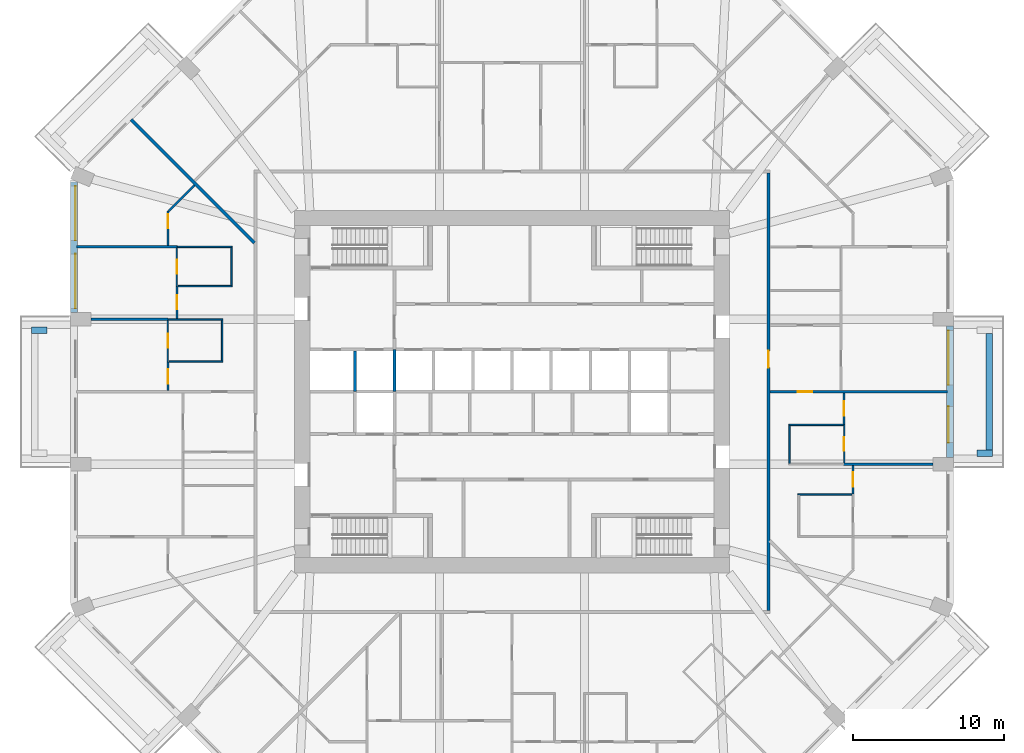
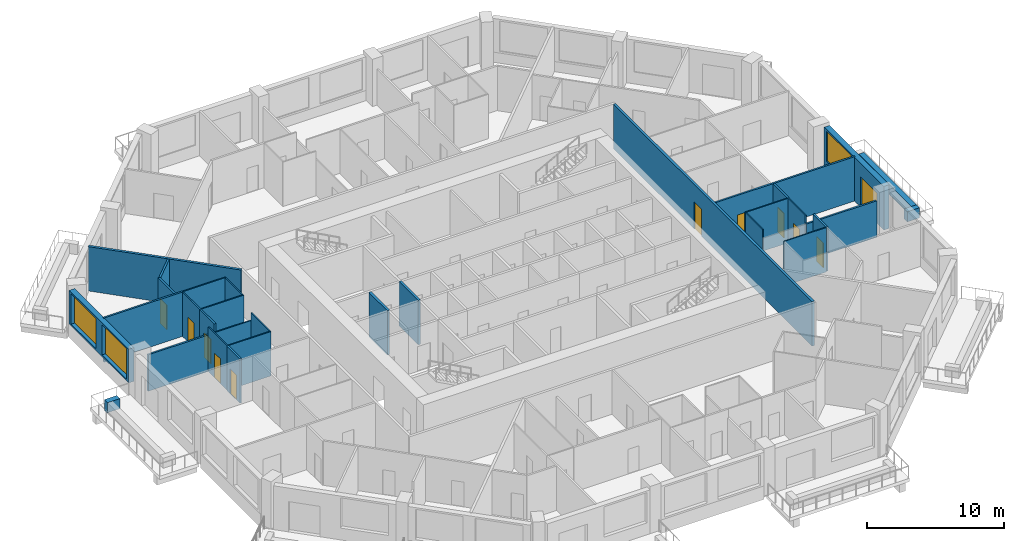
# One storey, part 7 of 13: 31 walls, 11 doors, 3 windows, 14 openings.
"""IFC4 building model written with IfcOpenShell, lengths in metres."""

from ifc_helpers import new_model, si_unit, direction, frame, frame_2d, origin, place, context, subcontext, project, spatial, rectangle, extrude, material, layer, layer_set, type_object, element, fill, save


model = new_model("IFC4")

# Units and contexts
model_context = context("Model", 3, precision=1e-05, world=origin(), true_north=direction((0.0, 1.0)))
body_context = subcontext(model_context, "Body", "Model", "MODEL_VIEW")
ifc_project = project(units=[si_unit("LENGTHUNIT", "METRE"), si_unit("AREAUNIT", "SQUARE_METRE"), si_unit("VOLUMEUNIT", "CUBIC_METRE"), si_unit("PLANEANGLEUNIT", "RADIAN"), si_unit("MASSUNIT", "GRAM", prefix="KILO")], contexts=[model_context])

# Site, building, storey
site_placement = place(None, origin())
site = spatial("IfcSite", under=ifc_project, at=site_placement, CompositionType="ELEMENT")
building_placement = place(site_placement, origin())
building = spatial("IfcBuilding", under=site, at=building_placement, Name="Msitu Wima Residences", CompositionType="ELEMENT")
storey_placement = place(building_placement, frame((0.0, 0.0, 75.89990234375)))
storey = spatial("IfcBuildingStorey", under=building, at=storey_placement, Name="L17", CompositionType="ELEMENT", Elevation=75.89990234375)

# Walls
ifc_material_1 = material(Name="Facing brick")
ifc_layer_1 = layer(ifc_material_1, 0.06494140625, Name="Facing brick")
ifc_material_2 = material(Name="Concrete C40/50", Category="concrete")
ifc_layer_2 = layer(ifc_material_2, 0.156005859375, Name="Concrete C40/50")
ifc_material_3 = material(Name="Waterproofing membrane")
ifc_layer_3 = layer(ifc_material_3, 0.00390625, Name="Waterproofing membrane")
ifc_material_4 = material(Name="Planting soil and planting")
ifc_layer_4 = layer(ifc_material_4, 0.22509765625, Name="Planting soil and planting")
ifc_layer_set_1 = layer_set([ifc_layer_1, ifc_layer_2, ifc_layer_3, ifc_layer_4], Name="Concrete C40/50")
wall_type_1 = type_object("IfcWallType", Name="Balcony planter PLANTER PL450", PredefinedType="USERDEFINED", material=ifc_layer_set_1)
wall_1_placement = place(storey_placement, frame((31.625, -3.85009765625, 0.0), z_axis=(0.0, 0.0, 1.0), x_axis=(0.0, 1.0, 0.0)))
element("IfcWall", 1, at=wall_1_placement, inside=storey, type_object=wall_type_1, Name="Balcony planter E1 L17", ObjectType="PLANTER", PredefinedType="USERDEFINED", context=body_context, shape_type="SweptSolid", body=[
    extrude(rectangle(XDim=7.7001953125, YDim=0.449951171875, at=frame_2d((3.85009765625, 0.0))), origin(), (0.0, 0.0, 1.0), 0.900146484375),
])
for number, where, z_axis, x_axis, name in (
    (2, (30.800048828125, -4.074951171875, 0.0), (0.0, 0.0, 1.0), (1.0, 0.0, 0.0), "Balcony planter E1 L17"),
    (3, (-30.800048828125, 4.074951171875, 0.0), (0.0, 0.0, 1.0), (-1.0, 0.0, 0.0), "Balcony planter W1 L17"),
):
    element("IfcWall", number, at=place(storey_placement, frame(where, z_axis=z_axis, x_axis=x_axis)), inside=storey, type_object=wall_type_1, Name=name, ObjectType="PLANTER", PredefinedType="USERDEFINED", context=body_context, shape_type="SweptSolid", body=[
        extrude(rectangle(XDim=1.050048828125, YDim=0.449951171875, at=frame_2d((0.52490234375, 0.0))), origin(), (0.0, 0.0, 1.0), 0.900146484375),
    ])

# Wall, openings, door, window
ifc_material_5 = material(Name="Brick (red buff mix)", Category="masonry")
ifc_layer_5 = layer(ifc_material_5, 0.449951171875)
ifc_layer_set_2 = layer_set([ifc_layer_5], Name="Brick (red buff mix)")
wall_type_2 = type_object("IfcWallType", Name="Brick infill wall BW450", PredefinedType="SOLIDWALL", material=ifc_layer_set_2)
wall_2_placement = place(storey_placement, frame((29.02490234375, -4.35009765625, 0.0), z_axis=(0.0, 0.0, 1.0), x_axis=(0.0, 1.0, 0.0)))
wall_2 = element("IfcWall", 4, at=wall_2_placement, inside=storey, type_object=wall_type_2, Name="Brick infill wall L17 E1", PredefinedType="SOLIDWALL", context=body_context, shape_type="SweptSolid", body=[
    extrude(rectangle(XDim=8.7001953125, YDim=0.449951171875, at=frame_2d((4.35009765625, 0.0))), origin(), (0.0, 0.0, 1.0), 3.900146484375),
])
opening_1_placement = place(wall_2_placement, frame((0.97509765625, 0.0, 0.0)))
opening_1 = element("IfcOpeningElement", 5, at=opening_1_placement, cuts=wall_2, Name="Opening D16-17.001", PredefinedType="OPENING", context=body_context, shape_type="SweptSolid", body=[
    extrude(rectangle(XDim=2.39990234375, YDim=2.699951171875, at=frame_2d((1.199951171875, 1.35009765625))), frame((0.0, 0.23486328125, 0.0), z_axis=(0.0, -1.0, 0.0), x_axis=(1.0, 0.0, 0.0)), (0.0, 0.0, 1.0), 0.469970703125),
])
opening_2_placement = place(wall_2_placement, frame((4.800048828125, 0.0, 1.050048828125)))
opening_2 = element("IfcOpeningElement", 6, at=opening_2_placement, cuts=wall_2, Name="Opening W16-17.003", PredefinedType="OPENING", context=body_context, shape_type="SweptSolid", body=[
    extrude(rectangle(XDim=3.60009765625, YDim=2.699951171875, at=frame_2d((1.800048828125, 1.35009765625))), frame((0.0, 0.23486328125, 0.0), z_axis=(0.0, -1.0, 0.0), x_axis=(1.0, 0.0, 0.0)), (0.0, 0.0, 1.0), 0.469970703125),
])
ifc_material_6 = material(Name="Anodised aluminium, bronze finish, clear low-emissivity double glazing", Category="aluminium")
door_type_1 = type_object("IfcDoorType", Name="Balcony door D2400x2700", OperationType="SLIDING_TO_LEFT", PredefinedType="DOOR", material=ifc_material_6)
door_1_placement = place(opening_1_placement, origin())
door_1 = element("IfcDoor", 7, at=door_1_placement, inside=storey, type_object=door_type_1, Name="Balcony door L17 E1", OperationType="SINGLE_SWING_LEFT", OverallHeight=2.699951171875, OverallWidth=2.39990234375, PredefinedType="DOOR", context=body_context, shape_type="SweptSolid", body=[
    extrude(rectangle(XDim=2.39990234375, YDim=2.699951171875, at=frame_2d((1.199951171875, 1.35009765625))), frame((0.0, 0.1298828125, 0.0), z_axis=(0.0, -1.0, 0.0), x_axis=(1.0, 0.0, 0.0)), (0.0, 0.0, 1.0), 0.050048828125),
])
fill(opening_1, door_1)
window_type = type_object("IfcWindowType", Name="Window W3600x2700", PartitioningType="DOUBLE_PANEL_VERTICAL", PredefinedType="WINDOW", material=ifc_material_6)
window_1_placement = place(opening_2_placement, origin())
window_1 = element("IfcWindow", 8, at=window_1_placement, inside=storey, type_object=window_type, Name="Window L17 E1.2", OverallHeight=2.699951171875, OverallWidth=3.60009765625, PartitioningType="SINGLE_PANEL", PredefinedType="WINDOW", context=body_context, shape_type="SweptSolid", body=[
    extrude(rectangle(XDim=3.60009765625, YDim=2.699951171875, at=frame_2d((1.800048828125, 1.35009765625))), frame((0.0, 0.135009765625, 0.0), z_axis=(0.0, -1.0, 0.0), x_axis=(1.0, 0.0, 0.0)), (0.0, 0.0, 1.0), 0.06005859375),
])
fill(opening_2, window_1)

# Wall, openings, windows
wall_3_placement = place(storey_placement, frame((-29.02490234375, 13.912841796875, 0.900146484375), z_axis=(0.0, 0.0, 1.0), x_axis=(0.0, -1.0, 0.0)))
wall_3 = element("IfcWall", 9, at=wall_3_placement, inside=storey, type_object=wall_type_2, Name="Brick infill wall L17 W0", PredefinedType="SOLIDWALL", context=body_context, shape_type="SweptSolid", body=[
    extrude(rectangle(XDim=8.662841796875, YDim=0.449951171875, at=frame_2d((4.33154296875, 0.0))), origin(), (0.0, 0.0, 1.0), 3.0),
])
opening_3_placement = place(wall_3_placement, frame((0.281494140625, 0.0, 0.14990234375)))
opening_3 = element("IfcOpeningElement", 10, at=opening_3_placement, cuts=wall_3, Name="Opening W16-17.026", PredefinedType="OPENING", context=body_context, shape_type="SweptSolid", body=[
    extrude(rectangle(XDim=3.60009765625, YDim=2.699951171875, at=frame_2d((1.800048828125, 1.35009765625))), frame((0.0, 0.23486328125, 0.0), z_axis=(0.0, -1.0, 0.0), x_axis=(1.0, 0.0, 0.0)), (0.0, 0.0, 1.0), 0.469970703125),
])
opening_4_placement = place(wall_3_placement, frame((4.781494140625, 0.0, 0.14990234375)))
opening_4 = element("IfcOpeningElement", 11, at=opening_4_placement, cuts=wall_3, Name="Opening W16-17.027", PredefinedType="OPENING", context=body_context, shape_type="SweptSolid", body=[
    extrude(rectangle(XDim=3.60009765625, YDim=2.699951171875, at=frame_2d((1.800048828125, 1.35009765625))), frame((0.0, 0.23486328125, 0.0), z_axis=(0.0, -1.0, 0.0), x_axis=(1.0, 0.0, 0.0)), (0.0, 0.0, 1.0), 0.469970703125),
])
window_2_placement = place(opening_3_placement, origin())
window_2 = element("IfcWindow", 12, at=window_2_placement, inside=storey, type_object=window_type, Name="Window L17 W0.1", OverallHeight=2.699951171875, OverallWidth=3.60009765625, PartitioningType="SINGLE_PANEL", PredefinedType="WINDOW", context=body_context, shape_type="SweptSolid", body=[
    extrude(rectangle(XDim=3.60009765625, YDim=2.699951171875, at=frame_2d((1.800048828125, 1.35009765625))), frame((0.0, 0.135009765625, 0.0), z_axis=(0.0, -1.0, 0.0), x_axis=(1.0, 0.0, 0.0)), (0.0, 0.0, 1.0), 0.06005859375),
])
fill(opening_3, window_2)
window_3_placement = place(opening_4_placement, origin())
window_3 = element("IfcWindow", 13, at=window_3_placement, inside=storey, type_object=window_type, Name="Window L17 W0.2", OverallHeight=2.699951171875, OverallWidth=3.60009765625, PartitioningType="SINGLE_PANEL", PredefinedType="WINDOW", context=body_context, shape_type="SweptSolid", body=[
    extrude(rectangle(XDim=3.60009765625, YDim=2.699951171875, at=frame_2d((1.800048828125, 1.35009765625))), frame((0.0, 0.135009765625, 0.0), z_axis=(0.0, -1.0, 0.0), x_axis=(1.0, 0.0, 0.0)), (0.0, 0.0, 1.0), 0.06005859375),
])
fill(opening_4, window_3)

# Wall, opening, door
ifc_material_7 = material(Name="Plaster")
ifc_layer_6 = layer(ifc_material_7, 0.011962890625, Name="Plaster")
ifc_material_8 = material(Name="Concrete blockwork", Category="masonry")
ifc_layer_7 = layer(ifc_material_8, 0.176025390625, Name="Concrete blockwork")
ifc_layer_8 = layer(ifc_material_7, 0.011962890625, Name="Plaster")
ifc_layer_set_3 = layer_set([ifc_layer_6, ifc_layer_7, ifc_layer_8], Name="Concrete blockwork")
wall_type_3 = type_object("IfcWallType", Name="Corridor wall FW200", PredefinedType="PARTITIONING", material=ifc_layer_set_3)
wall_4_placement = place(storey_placement, frame((17.0, -14.5, 0.0), z_axis=(0.0, 0.0, 1.0), x_axis=(0.0, 1.0, 0.0)))
wall_4 = element("IfcWall", 14, at=wall_4_placement, inside=storey, type_object=wall_type_3, Name="Corridor wall", PredefinedType="PARTITIONING", context=body_context, shape_type="SweptSolid", body=[
    extrude(rectangle(XDim=29.0, YDim=0.199951171875, at=frame_2d((14.5, 0.0))), origin(), (0.0, 0.0, 1.0), 3.9501953125),
])
opening_5_placement = place(wall_4_placement, frame((16.10009765625, 0.0, 0.0)))
opening_5 = element("IfcOpeningElement", 15, at=opening_5_placement, cuts=wall_4, Name="Opening D16-17.014", PredefinedType="OPENING", context=body_context, shape_type="SweptSolid", body=[
    extrude(rectangle(XDim=1.10009765625, YDim=2.39990234375, at=frame_2d((0.550048828125, 1.199951171875))), frame((0.0, 0.10986328125, 0.0), z_axis=(0.0, -1.0, 0.0), x_axis=(1.0, 0.0, 0.0)), (0.0, 0.0, 1.0), 0.219970703125),
])
ifc_material_9 = material(Name="Timber flush door, fire resisting, self-closing", Category="wood")
door_type_2 = type_object("IfcDoorType", Name="Flat entrance door D01 1100x2400", OperationType="SINGLE_SWING_LEFT", PredefinedType="DOOR", material=ifc_material_9)
door_2_placement = place(opening_5_placement, origin())
door_2 = element("IfcDoor", 16, at=door_2_placement, inside=storey, type_object=door_type_2, Name="Flat entrance door", OperationType="SINGLE_SWING_RIGHT", OverallHeight=2.39990234375, OverallWidth=1.10009765625, PredefinedType="DOOR", context=body_context, shape_type="SweptSolid", body=[
    extrude(rectangle(XDim=1.10009765625, YDim=2.39990234375, at=frame_2d((0.550048828125, 1.199951171875))), frame((0.0, 0.02490234375, 0.0), z_axis=(0.0, -1.0, 0.0), x_axis=(1.0, 0.0, 0.0)), (0.0, 0.0, 1.0), 0.050048828125),
])
fill(opening_5, door_2)

# Walls
ifc_layer_9 = layer(ifc_material_7, 0.011962890625, Name="Plaster")
ifc_layer_10 = layer(ifc_material_8, 0.1259765625, Name="Concrete blockwork")
ifc_layer_11 = layer(ifc_material_7, 0.011962890625, Name="Plaster")
ifc_layer_set_4 = layer_set([ifc_layer_9, ifc_layer_10, ifc_layer_11], Name="Concrete blockwork")
wall_type_4 = type_object("IfcWallType", Name="Partition PW150", PredefinedType="PARTITIONING", material=ifc_layer_set_4)
wall_5_placement = place(storey_placement, frame((-27.89990234375, 4.800048828125, 0.0), z_axis=(0.0, 0.0, 1.0), x_axis=(1.0, 0.0, 0.0)))
element("IfcWall", 17, at=wall_5_placement, inside=storey, type_object=wall_type_4, Name="Partition", PredefinedType="PARTITIONING", context=body_context, shape_type="SweptSolid", body=[
    extrude(rectangle(XDim=5.119873046875, YDim=0.14990234375, at=frame_2d((2.56005859375, 0.0))), origin(), (0.0, 0.0, 1.0), 3.25),
])
wall_6_placement = place(storey_placement, frame((-28.85498046875, 9.60009765625, 0.0), z_axis=(0.0, 0.0, 1.0), x_axis=(1.0, 0.0, 0.0)))
element("IfcWall", 18, at=wall_6_placement, inside=storey, type_object=wall_type_4, Name="Partition", PredefinedType="PARTITIONING", context=body_context, shape_type="SweptSolid", body=[
    extrude(rectangle(XDim=6.675048828125, YDim=0.14990234375, at=frame_2d((3.33740234375, 0.0))), origin(), (0.0, 0.0, 1.0), 3.9501953125),
])

# Wall, opening, door
wall_7_placement = place(storey_placement, frame((-22.800048828125, 0.074951171875, 0.0), z_axis=(0.0, 0.0, 1.0), x_axis=(0.0, 1.0, 0.0)))
wall_7 = element("IfcWall", 19, at=wall_7_placement, inside=storey, type_object=wall_type_4, Name="Partition", PredefinedType="PARTITIONING", context=body_context, shape_type="SweptSolid", body=[
    extrude(rectangle(XDim=1.905029296875, YDim=0.14990234375, at=frame_2d((0.95263671875, 0.0))), origin(), (0.0, 0.0, 1.0), 3.9501953125),
])
opening_6_placement = place(wall_7_placement, frame((0.449951171875, 0.0, 0.0)))
opening_6 = element("IfcOpeningElement", 20, at=opening_6_placement, cuts=wall_7, Name="Opening D16-17.049", PredefinedType="OPENING", context=body_context, shape_type="SweptSolid", body=[
    extrude(rectangle(XDim=0.949951171875, YDim=2.199951171875, at=frame_2d((0.47509765625, 1.10009765625))), frame((0.0, 0.0849609375, 0.0), z_axis=(0.0, -1.0, 0.0), x_axis=(1.0, 0.0, 0.0)), (0.0, 0.0, 1.0), 0.169921875),
])
ifc_material_10 = material(Name="Timber flush door", Category="wood")
door_type_3 = type_object("IfcDoorType", Name="Room door D12 950x2200", OperationType="SINGLE_SWING_LEFT", PredefinedType="DOOR", material=ifc_material_10)
door_3_placement = place(opening_6_placement, origin())
door_3 = element("IfcDoor", 21, at=door_3_placement, inside=storey, type_object=door_type_3, Name="Room door", OperationType="SINGLE_SWING_LEFT", OverallHeight=2.199951171875, OverallWidth=0.949951171875, PredefinedType="DOOR", context=body_context, shape_type="SweptSolid", body=[
    extrude(rectangle(XDim=0.949951171875, YDim=2.199951171875, at=frame_2d((0.47509765625, 1.10009765625))), frame((0.0, 0.02490234375, 0.0), z_axis=(0.0, -1.0, 0.0), x_axis=(1.0, 0.0, 0.0)), (0.0, 0.0, 1.0), 0.050048828125),
])
fill(opening_6, door_3)

wall_8_placement = place(storey_placement, frame((-22.800048828125, 9.675048828125, 0.0), z_axis=(0.0, 0.0, 1.0), x_axis=(0.0, 1.0, 0.0)))
wall_8 = element("IfcWall", 22, at=wall_8_placement, inside=storey, type_object=wall_type_4, Name="Partition", PredefinedType="PARTITIONING", context=body_context, shape_type="SweptSolid", body=[
    extrude(rectangle(XDim=2.314697265625, YDim=0.14990234375, at=frame_2d((1.1572265625, 0.0))), origin(), (0.0, 0.0, 1.0), 3.9501953125),
])
opening_7_placement = place(wall_8_placement, frame((1.14990234375, 0.0, 0.0)))
opening_7 = element("IfcOpeningElement", 23, at=opening_7_placement, cuts=wall_8, Name="Opening D16-17.059", PredefinedType="OPENING", context=body_context, shape_type="SweptSolid", body=[
    extrude(rectangle(XDim=0.949951171875, YDim=2.199951171875, at=frame_2d((0.47509765625, 1.10009765625))), frame((0.0, 0.0849609375, 0.0), z_axis=(0.0, -1.0, 0.0), x_axis=(1.0, 0.0, 0.0)), (0.0, 0.0, 1.0), 0.169921875),
])
door_4_placement = place(opening_7_placement, origin())
door_4 = element("IfcDoor", 24, at=door_4_placement, inside=storey, type_object=door_type_3, Name="Room door", OperationType="SINGLE_SWING_LEFT", OverallHeight=2.199951171875, OverallWidth=0.949951171875, PredefinedType="DOOR", context=body_context, shape_type="SweptSolid", body=[
    extrude(rectangle(XDim=0.949951171875, YDim=2.199951171875, at=frame_2d((0.47509765625, 1.10009765625))), frame((0.0, 0.02490234375, 0.0), z_axis=(0.0, -1.0, 0.0), x_axis=(1.0, 0.0, 0.0)), (0.0, 0.0, 1.0), 0.050048828125),
])
fill(opening_7, door_4)

# Wall
wall_9_placement = place(storey_placement, frame((-22.7470703125, 11.9677734375, 0.0), z_axis=(0.0, 0.0, 1.0), x_axis=(0.707106781187, 0.707106781187, 0.0)))
element("IfcWall", 25, at=wall_9_placement, inside=storey, type_object=wall_type_4, Name="Partition", PredefinedType="PARTITIONING", context=body_context, shape_type="SweptSolid", body=[
    extrude(rectangle(XDim=2.430908203125, YDim=0.14990234375, at=frame_2d((1.21533203125, 0.0))), origin(), (0.0, 0.0, 1.0), 3.9501953125),
])

# Wall, opening, door
wall_10_placement = place(storey_placement, frame((-22.199951171875, 4.85009765625, 0.0), z_axis=(0.0, 0.0, 1.0), x_axis=(0.0, 1.0, 0.0)))
wall_10 = element("IfcWall", 26, at=wall_10_placement, inside=storey, type_object=wall_type_4, Name="Partition", PredefinedType="PARTITIONING", context=body_context, shape_type="SweptSolid", body=[
    extrude(rectangle(XDim=2.1298828125, YDim=0.14990234375, at=frame_2d((1.06494140625, 0.0))), origin(), (0.0, 0.0, 1.0), 3.9501953125),
])
opening_8_placement = place(wall_10_placement, frame((0.60009765625, 0.0, 0.0)))
opening_8 = element("IfcOpeningElement", 27, at=opening_8_placement, cuts=wall_10, Name="Opening D16-17.051", PredefinedType="OPENING", context=body_context, shape_type="SweptSolid", body=[
    extrude(rectangle(XDim=0.949951171875, YDim=2.199951171875, at=frame_2d((0.47509765625, 1.10009765625))), frame((0.0, 0.0849609375, 0.0), z_axis=(0.0, -1.0, 0.0), x_axis=(1.0, 0.0, 0.0)), (0.0, 0.0, 1.0), 0.169921875),
])
door_5_placement = place(opening_8_placement, origin())
door_5 = element("IfcDoor", 28, at=door_5_placement, inside=storey, type_object=door_type_3, Name="Room door", OperationType="SINGLE_SWING_LEFT", OverallHeight=2.199951171875, OverallWidth=0.949951171875, PredefinedType="DOOR", context=body_context, shape_type="SweptSolid", body=[
    extrude(rectangle(XDim=0.949951171875, YDim=2.199951171875, at=frame_2d((0.47509765625, 1.10009765625))), frame((0.0, 0.02490234375, 0.0), z_axis=(0.0, -1.0, 0.0), x_axis=(1.0, 0.0, 0.0)), (0.0, 0.0, 1.0), 0.050048828125),
])
fill(opening_8, door_5)

wall_11_placement = place(storey_placement, frame((17.10009765625, 0.0, 0.0), z_axis=(0.0, 0.0, 1.0), x_axis=(1.0, 0.0, 0.0)))
wall_11 = element("IfcWall", 29, at=wall_11_placement, inside=storey, type_object=wall_type_4, Name="Partition", PredefinedType="PARTITIONING", context=body_context, shape_type="SweptSolid", body=[
    extrude(rectangle(XDim=11.7548828125, YDim=0.14990234375, at=frame_2d((5.87744140625, 0.0))), origin(), (0.0, 0.0, 1.0), 3.9501953125),
])
opening_9_placement = place(wall_11_placement, frame((1.85009765625, 0.0, 0.0)))
opening_9 = element("IfcOpeningElement", 30, at=opening_9_placement, cuts=wall_11, Name="Opening D16-17.076", PredefinedType="OPENING", context=body_context, shape_type="SweptSolid", body=[
    extrude(rectangle(XDim=0.949951171875, YDim=2.199951171875, at=frame_2d((0.47509765625, 1.10009765625))), frame((0.0, 0.0849609375, 0.0), z_axis=(0.0, -1.0, 0.0), x_axis=(1.0, 0.0, 0.0)), (0.0, 0.0, 1.0), 0.169921875),
])
door_6_placement = place(opening_9_placement, origin())
door_6 = element("IfcDoor", 31, at=door_6_placement, inside=storey, type_object=door_type_3, Name="Room door", OperationType="SINGLE_SWING_RIGHT", OverallHeight=2.199951171875, OverallWidth=0.949951171875, PredefinedType="DOOR", context=body_context, shape_type="SweptSolid", body=[
    extrude(rectangle(XDim=0.949951171875, YDim=2.199951171875, at=frame_2d((0.47509765625, 1.10009765625))), frame((0.0, 0.02490234375, 0.0), z_axis=(0.0, -1.0, 0.0), x_axis=(1.0, 0.0, 0.0)), (0.0, 0.0, 1.0), 0.050048828125),
])
fill(opening_9, door_6)

# Wall
wall_12_placement = place(storey_placement, frame((21.97998046875, -4.800048828125, 0.0), z_axis=(0.0, 0.0, 1.0), x_axis=(1.0, 0.0, 0.0)))
element("IfcWall", 32, at=wall_12_placement, inside=storey, type_object=wall_type_4, Name="Partition", PredefinedType="PARTITIONING", context=body_context, shape_type="SweptSolid", body=[
    extrude(rectangle(XDim=5.919921875, YDim=0.14990234375, at=frame_2d((2.9599609375, 0.0))), origin(), (0.0, 0.0, 1.0), 3.25),
])

# Wall, opening, door
wall_13_placement = place(storey_placement, frame((22.0, -2.179931640625, 0.0), z_axis=(0.0, 0.0, 1.0), x_axis=(0.0, 1.0, 0.0)))
wall_13 = element("IfcWall", 33, at=wall_13_placement, inside=storey, type_object=wall_type_4, Name="Partition", PredefinedType="PARTITIONING", context=body_context, shape_type="SweptSolid", body=[
    extrude(rectangle(XDim=2.10498046875, YDim=0.14990234375, at=frame_2d((1.052490234375, 0.0))), origin(), (0.0, 0.0, 1.0), 3.9501953125),
])
opening_10_placement = place(wall_13_placement, frame((0.60009765625, 0.0, 0.0)))
opening_10 = element("IfcOpeningElement", 34, at=opening_10_placement, cuts=wall_13, Name="Opening D16-17.082", PredefinedType="OPENING", context=body_context, shape_type="SweptSolid", body=[
    extrude(rectangle(XDim=0.949951171875, YDim=2.199951171875, at=frame_2d((0.47509765625, 1.10009765625))), frame((0.0, 0.0849609375, 0.0), z_axis=(0.0, -1.0, 0.0), x_axis=(1.0, 0.0, 0.0)), (0.0, 0.0, 1.0), 0.169921875),
])
door_7_placement = place(opening_10_placement, origin())
door_7 = element("IfcDoor", 35, at=door_7_placement, inside=storey, type_object=door_type_3, Name="Room door", OperationType="SINGLE_SWING_LEFT", OverallHeight=2.199951171875, OverallWidth=0.949951171875, PredefinedType="DOOR", context=body_context, shape_type="SweptSolid", body=[
    extrude(rectangle(XDim=0.949951171875, YDim=2.199951171875, at=frame_2d((0.47509765625, 1.10009765625))), frame((0.0, 0.02490234375, 0.0), z_axis=(0.0, -1.0, 0.0), x_axis=(1.0, 0.0, 0.0)), (0.0, 0.0, 1.0), 0.050048828125),
])
fill(opening_10, door_7)

wall_14_placement = place(storey_placement, frame((22.60009765625, -6.780029296875, 0.0), z_axis=(0.0, 0.0, 1.0), x_axis=(0.0, 1.0, 0.0)))
wall_14 = element("IfcWall", 36, at=wall_14_placement, inside=storey, type_object=wall_type_4, Name="Partition", PredefinedType="PARTITIONING", context=body_context, shape_type="SweptSolid", body=[
    extrude(rectangle(XDim=1.905029296875, YDim=0.14990234375, at=frame_2d((0.95263671875, 0.0))), origin(), (0.0, 0.0, 1.0), 3.9501953125),
])
opening_11_placement = place(wall_14_placement, frame((0.5, 0.0, 0.0)))
opening_11 = element("IfcOpeningElement", 37, at=opening_11_placement, cuts=wall_14, Name="Opening D16-17.079", PredefinedType="OPENING", context=body_context, shape_type="SweptSolid", body=[
    extrude(rectangle(XDim=0.949951171875, YDim=2.199951171875, at=frame_2d((0.47509765625, 1.10009765625))), frame((0.0, 0.0849609375, 0.0), z_axis=(0.0, -1.0, 0.0), x_axis=(1.0, 0.0, 0.0)), (0.0, 0.0, 1.0), 0.169921875),
])
door_8_placement = place(opening_11_placement, origin())
door_8 = element("IfcDoor", 38, at=door_8_placement, inside=storey, type_object=door_type_3, Name="Room door", OperationType="SINGLE_SWING_LEFT", OverallHeight=2.199951171875, OverallWidth=0.949951171875, PredefinedType="DOOR", context=body_context, shape_type="SweptSolid", body=[
    extrude(rectangle(XDim=0.949951171875, YDim=2.199951171875, at=frame_2d((0.47509765625, 1.10009765625))), frame((0.0, 0.02490234375, 0.0), z_axis=(0.0, -1.0, 0.0), x_axis=(1.0, 0.0, 0.0)), (0.0, 0.0, 1.0), 0.050048828125),
])
fill(opening_11, door_8)

# Walls
ifc_layer_12 = layer(ifc_material_7, 0.011962890625, Name="Plaster")
ifc_material_11 = material(Name="Dense concrete blockwork", Category="masonry")
ifc_layer_13 = layer(ifc_material_11, 0.176025390625, Name="Dense concrete blockwork")
ifc_layer_14 = layer(ifc_material_7, 0.011962890625, Name="Plaster")
ifc_layer_set_5 = layer_set([ifc_layer_12, ifc_layer_13, ifc_layer_14], Name="Dense concrete blockwork")
wall_type_5 = type_object("IfcWallType", Name="Party wall PW200", PredefinedType="PARTITIONING", material=ifc_layer_set_5)
wall_15_placement = place(storey_placement, frame((-25.23876953125, 18.038818359375, 0.0), z_axis=(0.0, 0.0, 1.0), x_axis=(0.707096213553, -0.707117348662, 0.0)))
element("IfcWall", 39, at=wall_15_placement, inside=storey, type_object=wall_type_5, Name="Party wall", PredefinedType="PARTITIONING", context=body_context, shape_type="SweptSolid", body=[
    extrude(rectangle(XDim=11.551513671875, YDim=0.199951171875, at=frame_2d((5.77587890625, 0.0))), origin(), (0.0, 0.0, 1.0), 3.9501953125),
])
ifc_material_12 = material(Name="Fire-rated board")
ifc_layer_15 = layer(ifc_material_12, 0.02490234375, Name="Fire-rated board")
ifc_material_13 = material(Name="Light-gauge stud framing with mineral wool")
ifc_layer_16 = layer(ifc_material_13, 0.14990234375, Name="Light-gauge stud framing with mineral wool")
ifc_layer_17 = layer(ifc_material_12, 0.02490234375, Name="Fire-rated board")
ifc_layer_set_6 = layer_set([ifc_layer_15, ifc_layer_16, ifc_layer_17], Name="Light-gauge stud framing with mineral wool")
wall_type_6 = type_object("IfcWallType", Name="Shaft wall SH200", PredefinedType="PARTITIONING", material=ifc_layer_set_6)
wall_16_placement = place(storey_placement, frame((-10.39990234375, 0.0, 0.0), z_axis=(0.0, 0.0, 1.0), x_axis=(0.0, 1.0, 0.0)))
element("IfcWall", 40, at=wall_16_placement, inside=storey, type_object=wall_type_6, Name="Shaft wall", PredefinedType="PARTITIONING", context=body_context, shape_type="SweptSolid", body=[
    extrude(rectangle(XDim=2.699951171875, YDim=0.199951171875, at=frame_2d((1.35009765625, 0.0))), origin(), (0.0, 0.0, 1.0), 3.9501953125),
])
wall_17_placement = place(storey_placement, frame((-7.800048828125, 0.0, 0.0), z_axis=(0.0, 0.0, 1.0), x_axis=(0.0, 1.0, 0.0)))
element("IfcWall", 41, at=wall_17_placement, inside=storey, type_object=wall_type_6, Name="Shaft wall", PredefinedType="PARTITIONING", context=body_context, shape_type="SweptSolid", body=[
    extrude(rectangle(XDim=2.800048828125, YDim=0.199951171875, at=frame_2d((1.39990234375, 0.0))), origin(), (0.0, 0.0, 1.0), 3.9501953125),
])
ifc_material_14 = material(Name="Ceramic tiles")
ifc_layer_18 = layer(ifc_material_14, 0.008056640625, Name="Ceramic tiles")
ifc_material_15 = material(Name="Moisture-resistant board")
ifc_layer_19 = layer(ifc_material_15, 0.012451171875, Name="Moisture-resistant board")
ifc_layer_20 = layer(ifc_material_13, 0.06689453125, Name="Light-gauge stud framing with mineral wool")
ifc_layer_21 = layer(ifc_material_15, 0.012451171875, Name="Moisture-resistant board")
ifc_layer_set_7 = layer_set([ifc_layer_18, ifc_layer_19, ifc_layer_20, ifc_layer_21], Name="Light-gauge stud framing with mineral wool")
wall_type_7 = type_object("IfcWallType", Name="Wet wall PW100", PredefinedType="PARTITIONING", material=ifc_layer_set_7)
wall_18_placement = place(storey_placement, frame((-22.780029296875, 4.800048828125, 0.0), z_axis=(0.0, 0.0, 1.0), x_axis=(1.0, 0.0, 0.0)))
element("IfcWall", 42, at=wall_18_placement, inside=storey, type_object=wall_type_7, Name="Wet wall", PredefinedType="PARTITIONING", context=body_context, shape_type="SweptSolid", body=[
    extrude(rectangle(XDim=3.630126953125, YDim=0.10009765625, at=frame_2d((1.81494140625, 0.0))), origin(), (0.0, 0.0, 1.0), 3.25),
])

# Wall, opening, door
wall_19_placement = place(storey_placement, frame((-22.800048828125, 1.97998046875, 0.0), z_axis=(0.0, 0.0, 1.0), x_axis=(0.0, 1.0, 0.0)))
wall_19 = element("IfcWall", 43, at=wall_19_placement, inside=storey, type_object=wall_type_7, Name="Wet wall", PredefinedType="PARTITIONING", context=body_context, shape_type="SweptSolid", body=[
    extrude(rectangle(XDim=2.7451171875, YDim=0.10009765625, at=frame_2d((1.37255859375, 0.0))), origin(), (0.0, 0.0, 1.0), 3.9501953125),
])
opening_12_placement = place(wall_19_placement, frame((0.949951171875, 0.0, 0.0)))
opening_12 = element("IfcOpeningElement", 44, at=opening_12_placement, cuts=wall_19, Name="Opening D16-17.050", PredefinedType="OPENING", context=body_context, shape_type="SweptSolid", body=[
    extrude(rectangle(XDim=0.89990234375, YDim=2.199951171875, at=frame_2d((0.449951171875, 1.10009765625))), frame((0.0, 0.06005859375, 0.0), z_axis=(0.0, -1.0, 0.0), x_axis=(1.0, 0.0, 0.0)), (0.0, 0.0, 1.0), 0.1201171875),
])
ifc_material_16 = material(Name="Timber flush door, moisture resistant", Category="wood")
door_type_4 = type_object("IfcDoorType", Name="Bathroom door D03 900x2200", OperationType="SINGLE_SWING_LEFT", PredefinedType="DOOR", material=ifc_material_16)
door_9_placement = place(opening_12_placement, origin())
door_9 = element("IfcDoor", 45, at=door_9_placement, inside=storey, type_object=door_type_4, Name="Bathroom door", OperationType="SINGLE_SWING_RIGHT", OverallHeight=2.199951171875, OverallWidth=0.89990234375, PredefinedType="DOOR", context=body_context, shape_type="SweptSolid", body=[
    extrude(rectangle(XDim=0.89990234375, YDim=2.199951171875, at=frame_2d((0.449951171875, 1.10009765625))), frame((0.0, 0.02490234375, 0.0), z_axis=(0.0, -1.0, 0.0), x_axis=(1.0, 0.0, 0.0)), (0.0, 0.0, 1.0), 0.050048828125),
])
fill(opening_12, door_9)

# Walls
wall_20_placement = place(storey_placement, frame((-22.72509765625, 2.0, 0.0), z_axis=(0.0, 0.0, 1.0), x_axis=(1.0, 0.0, 0.0)))
element("IfcWall", 46, at=wall_20_placement, inside=storey, type_object=wall_type_7, Name="Wet wall", PredefinedType="PARTITIONING", context=body_context, shape_type="SweptSolid", body=[
    extrude(rectangle(XDim=3.5751953125, YDim=0.10009765625, at=frame_2d((1.78759765625, 0.0))), origin(), (0.0, 0.0, 1.0), 3.9501953125),
])
wall_21_placement = place(storey_placement, frame((-22.179931640625, 9.60009765625, 0.0), z_axis=(0.0, 0.0, 1.0), x_axis=(1.0, 0.0, 0.0)))
element("IfcWall", 47, at=wall_21_placement, inside=storey, type_object=wall_type_7, Name="Wet wall", PredefinedType="PARTITIONING", context=body_context, shape_type="SweptSolid", body=[
    extrude(rectangle(XDim=3.6298828125, YDim=0.10009765625, at=frame_2d((1.81494140625, 0.0))), origin(), (0.0, 0.0, 1.0), 3.9501953125),
])

# Wall, opening, door
wall_22_placement = place(storey_placement, frame((-22.199951171875, 6.97998046875, 0.0), z_axis=(0.0, 0.0, 1.0), x_axis=(0.0, 1.0, 0.0)))
wall_22 = element("IfcWall", 48, at=wall_22_placement, inside=storey, type_object=wall_type_7, Name="Wet wall", PredefinedType="PARTITIONING", context=body_context, shape_type="SweptSolid", body=[
    extrude(rectangle(XDim=2.544921875, YDim=0.10009765625, at=frame_2d((1.2724609375, 0.0))), origin(), (0.0, 0.0, 1.0), 3.9501953125),
])
opening_13_placement = place(wall_22_placement, frame((0.85009765625, 0.0, 0.0)))
opening_13 = element("IfcOpeningElement", 49, at=opening_13_placement, cuts=wall_22, Name="Opening D16-17.052", PredefinedType="OPENING", context=body_context, shape_type="SweptSolid", body=[
    extrude(rectangle(XDim=0.89990234375, YDim=2.199951171875, at=frame_2d((0.449951171875, 1.10009765625))), frame((0.0, 0.06005859375, 0.0), z_axis=(0.0, -1.0, 0.0), x_axis=(1.0, 0.0, 0.0)), (0.0, 0.0, 1.0), 0.1201171875),
])
door_10_placement = place(opening_13_placement, origin())
door_10 = element("IfcDoor", 50, at=door_10_placement, inside=storey, type_object=door_type_4, Name="Bathroom door", OperationType="SINGLE_SWING_RIGHT", OverallHeight=2.199951171875, OverallWidth=0.89990234375, PredefinedType="DOOR", context=body_context, shape_type="SweptSolid", body=[
    extrude(rectangle(XDim=0.89990234375, YDim=2.199951171875, at=frame_2d((0.449951171875, 1.10009765625))), frame((0.0, 0.02490234375, 0.0), z_axis=(0.0, -1.0, 0.0), x_axis=(1.0, 0.0, 0.0)), (0.0, 0.0, 1.0), 0.050048828125),
])
fill(opening_13, door_10)

# Walls
wall_23_placement = place(storey_placement, frame((-22.125, 7.0, 0.0), z_axis=(0.0, 0.0, 1.0), x_axis=(1.0, 0.0, 0.0)))
element("IfcWall", 51, at=wall_23_placement, inside=storey, type_object=wall_type_7, Name="Wet wall", PredefinedType="PARTITIONING", context=body_context, shape_type="SweptSolid", body=[
    extrude(rectangle(XDim=3.574951171875, YDim=0.10009765625, at=frame_2d((1.78759765625, 0.0))), origin(), (0.0, 0.0, 1.0), 3.9501953125),
])
wall_24_placement = place(storey_placement, frame((-19.199951171875, 2.050048828125, 0.0), z_axis=(0.0, 0.0, 1.0), x_axis=(0.0, 1.0, 0.0)))
element("IfcWall", 52, at=wall_24_placement, inside=storey, type_object=wall_type_7, Name="Wet wall", PredefinedType="PARTITIONING", context=body_context, shape_type="SweptSolid", body=[
    extrude(rectangle(XDim=2.699951171875, YDim=0.10009765625, at=frame_2d((1.35009765625, 0.0))), origin(), (0.0, 0.0, 1.0), 3.9501953125),
])
for number, where, z_axis, x_axis, name in (
    (53, (-18.60009765625, 7.050048828125, 0.0), (0.0, 0.0, 1.0), (0.0, 1.0, 0.0), "Wet wall"),
    (54, (18.39990234375, -4.75, 0.0), (0.0, 0.0, 1.0), (0.0, 1.0, 0.0), "Wet wall"),
):
    element("IfcWall", number, at=place(storey_placement, frame(where, z_axis=z_axis, x_axis=x_axis)), inside=storey, type_object=wall_type_7, Name=name, PredefinedType="PARTITIONING", context=body_context, shape_type="SweptSolid", body=[
        extrude(rectangle(XDim=2.5, YDim=0.10009765625, at=frame_2d((1.25, 0.0))), origin(), (0.0, 0.0, 1.0), 3.9501953125),
    ])
wall_25_placement = place(storey_placement, frame((18.35009765625, -2.199951171875, 0.0), z_axis=(0.0, 0.0, 1.0), x_axis=(1.0, 0.0, 0.0)))
element("IfcWall", 55, at=wall_25_placement, inside=storey, type_object=wall_type_7, Name="Wet wall", PredefinedType="PARTITIONING", context=body_context, shape_type="SweptSolid", body=[
    extrude(rectangle(XDim=3.599853515625, YDim=0.10009765625, at=frame_2d((1.7998046875, 0.0))), origin(), (0.0, 0.0, 1.0), 3.9501953125),
])
wall_26_placement = place(storey_placement, frame((18.949951171875, -6.800048828125, 0.0), z_axis=(0.0, 0.0, 1.0), x_axis=(1.0, 0.0, 0.0)))
element("IfcWall", 56, at=wall_26_placement, inside=storey, type_object=wall_type_7, Name="Wet wall", PredefinedType="PARTITIONING", context=body_context, shape_type="SweptSolid", body=[
    extrude(rectangle(XDim=3.574951171875, YDim=0.10009765625, at=frame_2d((1.78759765625, 0.0))), origin(), (0.0, 0.0, 1.0), 3.9501953125),
])

# Wall, opening, door
wall_27_placement = place(storey_placement, frame((22.0, -4.72509765625, 0.0), z_axis=(0.0, 0.0, 1.0), x_axis=(0.0, 1.0, 0.0)))
wall_27 = element("IfcWall", 57, at=wall_27_placement, inside=storey, type_object=wall_type_7, Name="Wet wall", PredefinedType="PARTITIONING", context=body_context, shape_type="SweptSolid", body=[
    extrude(rectangle(XDim=2.545166015625, YDim=0.10009765625, at=frame_2d((1.2724609375, 0.0))), origin(), (0.0, 0.0, 1.0), 3.9501953125),
])
opening_14_placement = place(wall_27_placement, frame((0.800048828125, 0.0, 0.0)))
opening_14 = element("IfcOpeningElement", 58, at=opening_14_placement, cuts=wall_27, Name="Opening D16-17.083", PredefinedType="OPENING", context=body_context, shape_type="SweptSolid", body=[
    extrude(rectangle(XDim=0.89990234375, YDim=2.199951171875, at=frame_2d((0.449951171875, 1.10009765625))), frame((0.0, 0.06005859375, 0.0), z_axis=(0.0, -1.0, 0.0), x_axis=(1.0, 0.0, 0.0)), (0.0, 0.0, 1.0), 0.1201171875),
])
door_11_placement = place(opening_14_placement, origin())
door_11 = element("IfcDoor", 59, at=door_11_placement, inside=storey, type_object=door_type_4, Name="Bathroom door", OperationType="SINGLE_SWING_RIGHT", OverallHeight=2.199951171875, OverallWidth=0.89990234375, PredefinedType="DOOR", context=body_context, shape_type="SweptSolid", body=[
    extrude(rectangle(XDim=0.89990234375, YDim=2.199951171875, at=frame_2d((0.449951171875, 1.10009765625))), frame((0.0, 0.02490234375, 0.0), z_axis=(0.0, -1.0, 0.0), x_axis=(1.0, 0.0, 0.0)), (0.0, 0.0, 1.0), 0.050048828125),
])
fill(opening_14, door_11)

save(model, "model.ifc")
